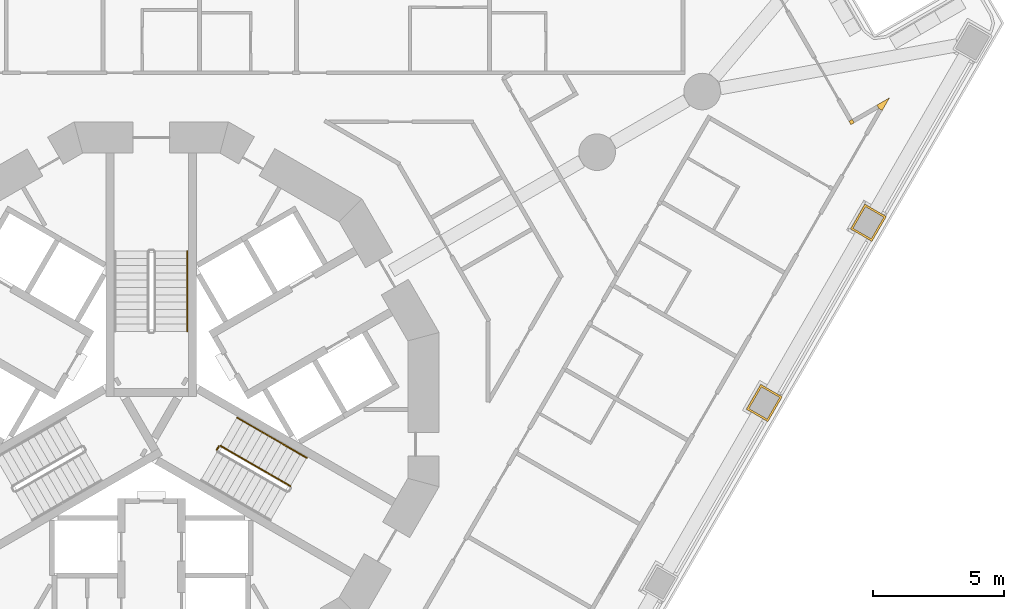
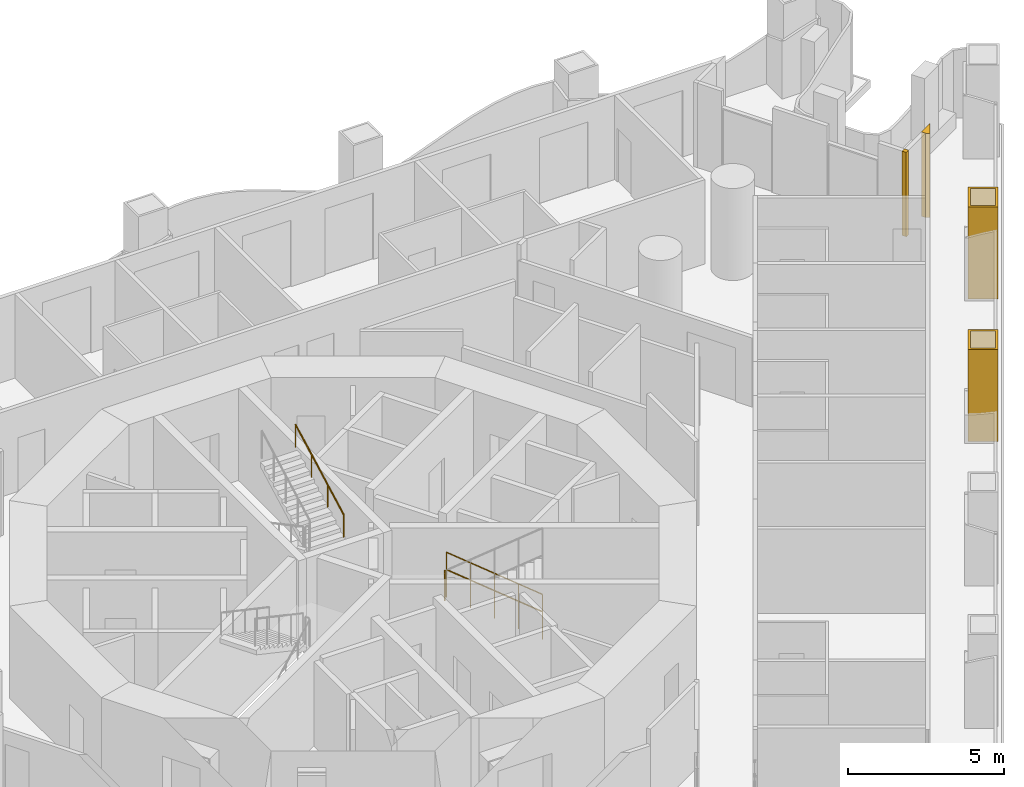
# One storey, part 18 of 20: 5 railings, 4 coverings.
"""IFC4 building model written with IfcOpenShell, lengths in metres."""

from ifc_helpers import new_model, si_unit, direction, frame, origin, origin_2d, place, context, subcontext, project, spatial, polyline, circle, outline, extrude, material, layer, layer_set, type_object, element, save


model = new_model("IFC4")

# Units and contexts
model_context = context("Model", 3, precision=1e-05, world=origin(), true_north=direction((0.0, 1.0)))
body_context = subcontext(model_context, "Body", "Model", "MODEL_VIEW")
ifc_project = project(units=[si_unit("LENGTHUNIT", "METRE"), si_unit("AREAUNIT", "SQUARE_METRE"), si_unit("VOLUMEUNIT", "CUBIC_METRE"), si_unit("PLANEANGLEUNIT", "RADIAN"), si_unit("MASSUNIT", "GRAM", prefix="KILO")], contexts=[model_context])

# Site, building, storey
site_placement = place(None, origin())
site = spatial("IfcSite", under=ifc_project, at=site_placement, CompositionType="ELEMENT")
building_placement = place(site_placement, origin())
building = spatial("IfcBuilding", under=site, at=building_placement, Name="Trine Commons Tower", CompositionType="ELEMENT")
storey_placement = place(building_placement, frame((0.0, 0.0, 35.10009765625)))
storey = spatial("IfcBuildingStorey", under=building, at=storey_placement, Name="L07", CompositionType="ELEMENT", Elevation=35.10009765625)

# Coverings
ifc_material_1 = material(Name="Aluminium-framed insulated wall panel", Category="aluminium")
ifc_layer_1 = layer(ifc_material_1, 0.14990234375)
ifc_layer_set_1 = layer_set([ifc_layer_1], Name="Aluminium-framed insulated wall panel")
covering_type_1 = type_object("IfcCoveringType", Name="Glazing corner post, aluminium", PredefinedType="CLADDING", material=ifc_layer_set_1)
covering_1_placement = place(storey_placement, origin())
element("IfcCovering", 1, at=covering_1_placement, inside=storey, type_object=covering_type_1, Name="Glazing corner post 1-07", PredefinedType="CLADDING", context=body_context, shape_type="SweptSolid", body=[
    extrude(outline(polyline([(106.688720703125, 73.532470703125), (106.763671875, 73.402587890625), (106.8935546875, 73.4775390625), (106.818603515625, 73.607421875), (106.688720703125, 73.532470703125)])), origin(), (0.0, 0.0, 1.0), 3.2998046875),
])
covering_2_placement = place(storey_placement, origin())
element("IfcCovering", 2, at=covering_2_placement, inside=storey, type_object=covering_type_1, Name="Glazing corner post 1-08", PredefinedType="CLADDING", context=body_context, shape_type="SweptSolid", body=[
    extrude(outline(polyline([(107.963623046875, 73.9453125), (108.24365234375, 74.43017578125), (107.7587890625, 74.150146484375), (107.833740234375, 74.020263671875), (107.963623046875, 73.9453125)])), origin(), (0.0, 0.0, 1.0), 3.2998046875),
])
ifc_material_2 = material(Name="Limestone, honed", Category="masonry")
ifc_layer_2 = layer(ifc_material_2, 0.074951171875)
ifc_layer_set_2 = layer_set([ifc_layer_2], Name="Limestone, honed")
covering_type_2 = type_object("IfcCoveringType", Name="Limestone column cladding 75", PredefinedType="CLADDING", material=ifc_layer_set_2)
covering_3_placement = place(storey_placement, origin())
element("IfcCovering", 3, at=covering_3_placement, inside=storey, type_object=covering_type_2, Name="Limestone pier cladding 1-18", PredefinedType="CLADDING", context=body_context, shape_type="SweptSolid", body=[
    extrude(outline(polyline([(108.12109375, 69.8876953125), (107.298095703125, 70.36279296875), (106.748291015625, 69.41015625), (107.571044921875, 68.93505859375), (108.12109375, 69.8876953125)]), holes=[polyline([(108.0185546875, 69.8603515625), (107.32568359375, 70.26025390625), (106.8505859375, 69.4375), (107.54345703125, 69.03759765625), (108.0185546875, 69.8603515625)])]), origin(), (0.0, 0.0, 1.0), 3.599853515625),
])
covering_4_placement = place(storey_placement, origin())
element("IfcCovering", 4, at=covering_4_placement, inside=storey, type_object=covering_type_2, Name="Limestone pier cladding 1-19", PredefinedType="CLADDING", context=body_context, shape_type="SweptSolid", body=[
    extrude(outline(polyline([(104.139404296875, 62.9912109375), (103.31640625, 63.46630859375), (102.7666015625, 62.513671875), (103.58935546875, 62.03857421875), (104.139404296875, 62.9912109375)]), holes=[polyline([(104.036865234375, 62.9638671875), (103.343994140625, 63.36376953125), (102.868896484375, 62.541015625), (103.561767578125, 62.14111328125), (104.036865234375, 62.9638671875)])]), origin(), (0.0, 0.0, 1.0), 3.599853515625),
])

# Railings
ifc_material_3 = material(Name="Stainless steel balustrade", Category="steel")
railing_type_1 = type_object("IfcRailingType", Name="Stair guard, steel balustrade 1100", PredefinedType="GUARDRAIL", material=ifc_material_3)
railing_1_placement = place(storey_placement, frame((85.31982421875, 59.572998046875, 0.14990234375)))
element("IfcRailing", 5, at=railing_1_placement, inside=storey, type_object=railing_type_1, Name="L07 ST3A stair guard 1", PredefinedType="GUARDRAIL", context=body_context, shape_type="SweptSolid", body=[
    extrude(circle(Radius=0.02392578125, at=origin_2d()), frame((0.0, 0.0, 1.076171875), z_axis=(-0.76340495495, 0.440743040072, 0.472184759798), x_axis=(-0.499992328818, -0.866029832698, 0.0)), (0.0, 0.0, 1.0), 3.494140625),
    extrude(circle(Radius=0.02099609375, at=origin_2d()), origin(), (0.0, 0.0, 1.0), 1.052001953125),
    extrude(circle(Radius=0.02099609375, at=origin_2d()), frame((-0.6669921875, 0.385009765625, 0.41259765625)), (0.0, 0.0, 1.0), 1.052001953125),
    extrude(circle(Radius=0.02099609375, at=origin_2d()), frame((-1.333740234375, 0.77001953125, 0.824951171875)), (0.0, 0.0, 1.0), 1.052001953125),
    extrude(circle(Radius=0.02099609375, at=origin_2d()), frame((-2.00048828125, 1.155029296875, 1.2373046875)), (0.0, 0.0, 1.0), 1.052001953125),
    extrude(circle(Radius=0.02099609375, at=origin_2d()), frame((-2.66748046875, 1.5400390625, 1.64990234375)), (0.0, 0.0, 1.0), 1.052001953125),
])
railing_2_placement = place(storey_placement, frame((82.584228515625, 61.0947265625, 1.7998046875)))
element("IfcRailing", 6, at=railing_2_placement, inside=storey, type_object=railing_type_1, Name="L07 ST3A stair guard 2", PredefinedType="GUARDRAIL", context=body_context, shape_type="SweptSolid", body=[
    extrude(circle(Radius=0.02392578125, at=origin_2d()), frame((0.0, 0.0, 1.076171875), z_axis=(-0.501036270542, -0.865426285481, 0.0), x_axis=(0.865426285481, -0.501036270542, 0.0)), (0.0, 0.0, 1.0), 0.150146484375),
    extrude(circle(Radius=0.02099609375, at=origin_2d()), origin(), (0.0, 0.0, 1.0), 1.052001953125),
    extrude(circle(Radius=0.02099609375, at=origin_2d()), frame((-0.0751953125, -0.1298828125, 0.0)), (0.0, 0.0, 1.0), 1.052001953125),
])
ifc_material_4 = material(Name="Stainless steel handrail", Category="steel")
railing_type_2 = type_object("IfcRailingType", Name="Stair handrail, steel 900", PredefinedType="HANDRAIL", material=ifc_material_4)
railing_3_placement = place(storey_placement, frame((81.375, 65.490478515625, 1.949951171875)))
element("IfcRailing", 7, at=railing_3_placement, inside=storey, type_object=railing_type_2, Name="L07 ST1A stair handrail 2", PredefinedType="HANDRAIL", context=body_context, shape_type="SweptSolid", body=[
    extrude(circle(Radius=0.02099609375, at=origin_2d()), frame((0.0, 0.0, 0.87890625), z_axis=(0.0, 0.881496589024, 0.472190389079), x_axis=(-1.0, 0.0, 0.0)), (0.0, 0.0, 1.0), 3.494140625),
    extrude(circle(Radius=0.01513671875, at=origin_2d()), origin(), (0.0, 0.0, 1.0), 0.85791015625),
    extrude(circle(Radius=0.01513671875, at=origin_2d()), frame((0.0, 1.026611328125, 0.550048828125)), (0.0, 0.0, 1.0), 0.85791015625),
    extrude(circle(Radius=0.01513671875, at=origin_2d()), frame((0.0, 2.053466796875, 1.099853515625)), (0.0, 0.0, 1.0), 0.85791015625),
    extrude(circle(Radius=0.01513671875, at=origin_2d()), frame((0.0, 3.080078125, 1.64990234375)), (0.0, 0.0, 1.0), 0.85791015625),
])
for number, where, name in (
    (8, (85.94482421875, 60.655517578125, 0.14990234375), "L07 ST3A stair handrail 1"),
    (9, (84.611083984375, 61.425537109375, 0.974853515625), "L07 ST3A stair handrail 2"),
):
    element("IfcRailing", number, at=place(storey_placement, frame(where)), inside=storey, type_object=railing_type_2, Name=name, PredefinedType="HANDRAIL", context=body_context, shape_type="SweptSolid", body=[
        extrude(circle(Radius=0.02099609375, at=origin_2d()), frame((0.0, 0.0, 0.87890625), z_axis=(-0.76340495495, 0.440743040072, 0.472184759798), x_axis=(-0.499992328818, -0.866029832698, 0.0)), (0.0, 0.0, 1.0), 1.7470703125),
        extrude(circle(Radius=0.01513671875, at=origin_2d()), origin(), (0.0, 0.0, 1.0), 0.85791015625),
        extrude(circle(Radius=0.01513671875, at=origin_2d()), frame((-0.6669921875, 0.385009765625, 0.41259765625)), (0.0, 0.0, 1.0), 0.85791015625),
        extrude(circle(Radius=0.01513671875, at=origin_2d()), frame((-1.333740234375, 0.77001953125, 0.824951171875)), (0.0, 0.0, 1.0), 0.85791015625),
    ])

save(model, "model.ifc")
